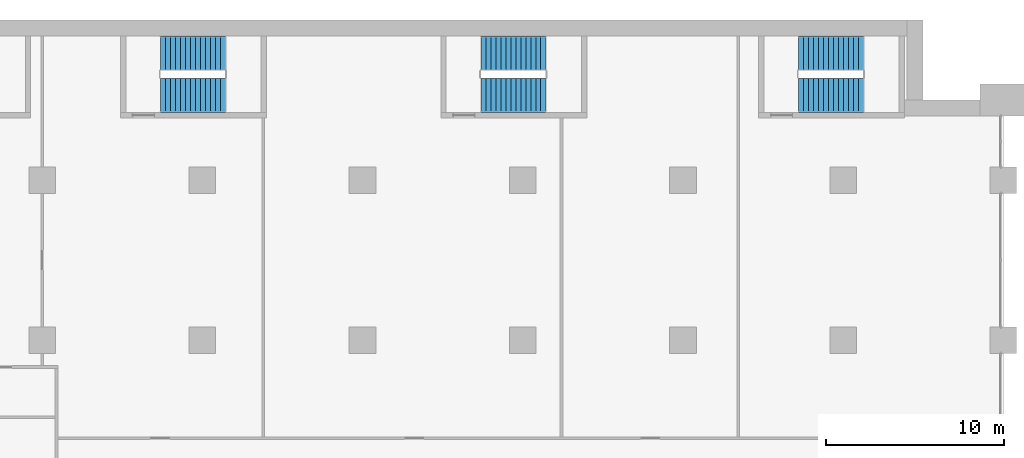
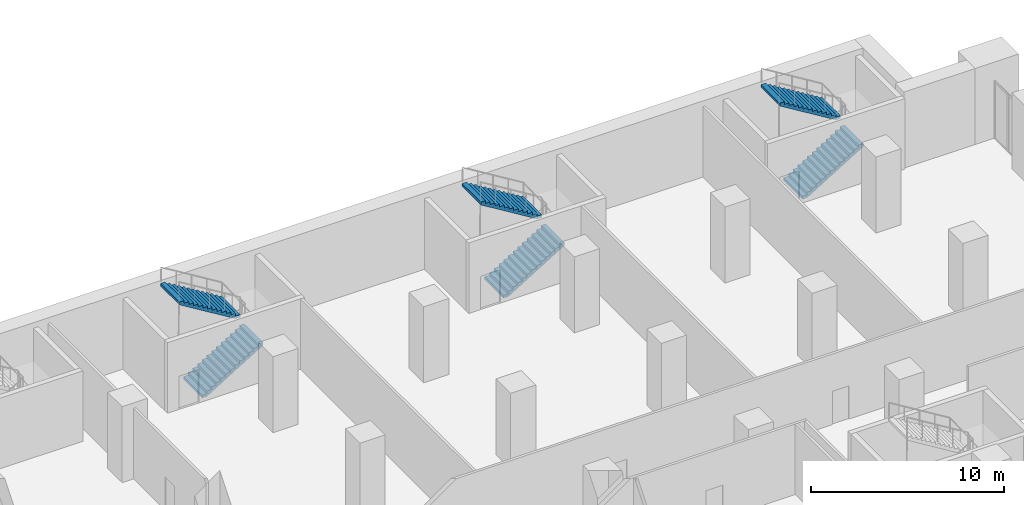
# One storey, part 24 of 31: 6 stair flights, 3 elements without a shape of their own.
"""IFC4 building model written with IfcOpenShell, lengths in metres."""

import ifcopenshell
import ifcopenshell.guid

model = None  # the IFC model being written
_history = None  # IfcOwnerHistory: only IFC2X3 demands one
_inside = {}  # id of a spatial element -> (the spatial element, [elements in it])
_under = {}  # id of a project, library or spatial element -> (it, [spatial elements below it])
_declared = {}  # id of a project -> (the project, [libraries it declares])
_typed = {}  # id of a type object -> (the type object, [elements of that type])
_made_of = {}  # id of a material, layer set ... -> (it, [elements and type objects made of it])


def new_model(schema):
    """Start an empty IFC model of exactly this schema.

    Asked for "IFC4X3", IfcOpenShell would pick the latest addendum, in which some entities
    have other attributes; the version numbers below select the first issue.
    IFC2X3 requires an IfcOwnerHistory on every rooted entity: one is made here for all.
    """
    global model, _history
    if schema == "IFC4X3":
        model = ifcopenshell.file(schema_version=(4, 3, 0, 0))
    else:
        model = ifcopenshell.file(schema=schema)
    _inside.clear()
    _under.clear()
    _declared.clear()
    _typed.clear()
    _made_of.clear()
    _history = None
    if model.schema == "IFC2X3":
        org = make("IfcOrganization", Name="unknown")
        user = make(
            "IfcPersonAndOrganization",
            ThePerson=make("IfcPerson", FamilyName="unknown"),
            TheOrganization=org,
        )
        app = make(
            "IfcApplication",
            ApplicationDeveloper=org,
            Version="unknown",
            ApplicationFullName="unknown",
            ApplicationIdentifier="unknown",
        )
        _history = make(
            "IfcOwnerHistory",
            OwningUser=user,
            OwningApplication=app,
            ChangeAction="ADDED",
            CreationDate=0,
        )
    return model


def make(cls, **values):
    """One entity of the class cls with the attributes given. An attribute that is None is left unset."""
    return model.create_entity(
        cls, **{name: value for name, value in values.items() if value is not None}
    )


def rooted(cls, **values):
    """An entity with a GlobalId (a new one), such as an element, a storey or a relation."""
    return make(cls, GlobalId=ifcopenshell.guid.new(), OwnerHistory=_history, **values)


def si_unit(unit_type, name, prefix=None):
    """IfcSIUnit, for example si_unit("LENGTHUNIT", "METRE", prefix="MILLI")."""
    return make("IfcSIUnit", UnitType=unit_type, Prefix=prefix, Name=name)


def assignment(units):
    """IfcUnitAssignment: the units of a project."""
    return None if units is None else make("IfcUnitAssignment", Units=units)


def point(xyz):
    """IfcCartesianPoint."""
    return None if xyz is None else make("IfcCartesianPoint", Coordinates=xyz)


def direction(xyz):
    """IfcDirection."""
    return None if xyz is None else make("IfcDirection", DirectionRatios=xyz)


def frame(location, z_axis=None, x_axis=None):
    """IfcAxis2Placement3D, a coordinate frame: its origin and axes. An axis left out is left unset."""
    return make(
        "IfcAxis2Placement3D",
        Location=point(location),
        Axis=direction(z_axis),
        RefDirection=direction(x_axis),
    )


def origin():
    """The frame at (0, 0, 0) with its axes left unset."""
    return frame((0.0, 0.0, 0.0))


def place(relative_to, where):
    """IfcLocalPlacement: puts the frame where relative to a parent placement (None: the world)."""
    return make(
        "IfcLocalPlacement", PlacementRelTo=relative_to, RelativePlacement=where
    )


def context(
    kind, dimensions, precision=None, world=None, true_north=None, identifier=None
):
    """IfcGeometricRepresentationContext, for example the 3D "Model" context."""
    return make(
        "IfcGeometricRepresentationContext",
        ContextIdentifier=identifier,
        ContextType=kind,
        CoordinateSpaceDimension=dimensions,
        Precision=precision,
        WorldCoordinateSystem=world,
        TrueNorth=true_north,
    )


def subcontext(parent, identifier, kind, view, scale=None):
    """IfcGeometricRepresentationSubContext, for example "Body" below "Model"."""
    return make(
        "IfcGeometricRepresentationSubContext",
        ContextIdentifier=identifier,
        ContextType=kind,
        ParentContext=parent,
        TargetScale=scale,
        TargetView=view,
    )


def project(units=None, contexts=None):
    """IfcProject with its units and contexts."""
    return rooted(
        "IfcProject",
        Name="project",
        RepresentationContexts=contexts,
        UnitsInContext=assignment(units),
    )


def spatial(cls, under=None, at=None, **own):
    """A site, building, storey or space (cls), placed at a placement, below another one or the project."""
    s = rooted(cls, ObjectPlacement=at, **own)
    if under is not None:
        _under.setdefault(under.id(), (under, []))[1].append(s)
    return s


def polyline(points):
    """IfcPolyline through the points."""
    return make("IfcPolyline", Points=[point(p) for p in points])


def outline(outer, holes=None, kind="AREA"):
    """IfcArbitraryClosedProfileDef: a profile drawn as a closed curve; with holes, ...WithVoids."""
    if holes is None:
        return make("IfcArbitraryClosedProfileDef", ProfileType=kind, OuterCurve=outer)
    return make(
        "IfcArbitraryProfileDefWithVoids",
        ProfileType=kind,
        OuterCurve=outer,
        InnerCurves=holes,
    )


def extrude(swept, where, along, depth):
    """IfcExtrudedAreaSolid: the profile swept, set in the frame where, extruded along a direction by depth."""
    return make(
        "IfcExtrudedAreaSolid",
        SweptArea=swept,
        Position=where,
        ExtrudedDirection=direction(along),
        Depth=depth,
    )


def shape(context_of_items, identifier, shape_type, items):
    """IfcShapeRepresentation: the items that make up one representation, for example the "Body"."""
    return make(
        "IfcShapeRepresentation",
        ContextOfItems=context_of_items,
        RepresentationIdentifier=identifier,
        RepresentationType=shape_type,
        Items=items,
    )


def material(Name=None, Category=None):
    """IfcMaterial."""
    return make("IfcMaterial", Name=Name, Category=Category)


def made_of(thing, what):
    """Note that an element or type object is made of a material, layer set ...; save() writes the relation."""
    if what is not None:
        _made_of.setdefault(what.id(), (what, []))[1].append(thing)
    return thing


def type_object(cls, material=None, **own):
    """A type object (cls), such as IfcWallType, which elements share."""
    return made_of(rooted(cls, **own), material)


def element(
    cls,
    number,
    at=None,
    inside=None,
    cuts=None,
    type_object=None,
    material=None,
    context=None,
    identifier="Body",
    shape_type=None,
    held_by="IfcProductDefinitionShape",
    body=None,
    shapes=None,
    **own,
):
    """One element of the class cls, such as IfcWall. Its Tag is "e" and its number.

    at: its placement. inside: the storey or other place that contains it. cuts: it is an
    opening in that element (IfcRelVoidsElement). A single representation is given by context,
    identifier, shape_type and body (its items); several are given by shapes. held_by: the class
    of the entity that holds the representations. save() writes the other relations.
    """
    e = rooted(cls, Tag="e%d" % number, ObjectPlacement=at, **own)
    if body is not None:
        shapes = [shape(context, identifier, shape_type, body)]
    if shapes is not None:
        e.Representation = make(held_by, Representations=shapes)
    if inside is not None:
        _inside.setdefault(inside.id(), (inside, []))[1].append(e)
    if cuts is not None:
        rooted(
            "IfcRelVoidsElement", RelatingBuildingElement=cuts, RelatedOpeningElement=e
        )
    if type_object is not None:
        _typed.setdefault(type_object.id(), (type_object, []))[1].append(e)
    return made_of(e, material)


def aggregate(whole, parts):
    """IfcRelAggregates: a whole, such as a stair, and the parts it consists of."""
    return rooted("IfcRelAggregates", RelatingObject=whole, RelatedObjects=parts)


def save(model, path):
    """Write the relations noted so far, then the file.

    IfcRelAggregates (storeys below a building ...), IfcRelContainedInSpatialStructure (elements
    in a storey), IfcRelDefinesByType, IfcRelAssociatesMaterial and IfcRelDeclares: one each for
    every whole, place, type object, material and project.
    """
    for whole, parts in _under.values():
        aggregate(whole, parts)
    for where, things in _inside.values():
        rooted(
            "IfcRelContainedInSpatialStructure",
            RelatedElements=things,
            RelatingStructure=where,
        )
    for kind, things in _typed.values():
        rooted("IfcRelDefinesByType", RelatedObjects=things, RelatingType=kind)
    for what, things in _made_of.values():
        rooted("IfcRelAssociatesMaterial", RelatedObjects=things, RelatingMaterial=what)
    for by, libraries in _declared.values():
        rooted("IfcRelDeclares", RelatingContext=by, RelatedDefinitions=libraries)
    model.write(path)


model = new_model("IFC4")

# Units and contexts
model_context = context("Model", 3, precision=1e-05, world=origin(), true_north=direction((0.0, 1.0)))
body_context = subcontext(model_context, "Body", "Model", "MODEL_VIEW")
ifc_project = project(units=[si_unit("LENGTHUNIT", "METRE"), si_unit("AREAUNIT", "SQUARE_METRE"), si_unit("VOLUMEUNIT", "CUBIC_METRE"), si_unit("PLANEANGLEUNIT", "RADIAN"), si_unit("MASSUNIT", "GRAM", prefix="KILO")], contexts=[model_context])

# Site, building, storey
site_placement = place(None, origin())
site = spatial("IfcSite", under=ifc_project, at=site_placement, CompositionType="ELEMENT")
building_placement = place(site_placement, origin())
building = spatial("IfcBuilding", under=site, at=building_placement, Name="Hunhe Ridgeline Campus", CompositionType="ELEMENT")
storey_placement = place(building_placement, frame((0.0, 0.0, 16.800048828125)))
storey = spatial("IfcBuildingStorey", under=building, at=storey_placement, Name="L03", CompositionType="ELEMENT", Elevation=16.800048828125)

# Stair, stair flights
ifc_material = material(Name="Concrete C40", Category="concrete")
stair_type = type_object("IfcStairType", Name="Reinforced concrete dog-leg stair 1950 Concrete C40", PredefinedType="HALF_TURN_STAIR", material=ifc_material)
stair_1_placement = place(storey_placement, origin())
stair_1 = element("IfcStair", 1, at=stair_1_placement, inside=storey, type_object=stair_type, Name="L03 E2", PredefinedType="HALF_TURN_STAIR")
stair_flight_type = type_object("IfcStairFlightType", Name="Reinforced concrete stair flight 1950 Concrete C40", PredefinedType="STRAIGHT", material=ifc_material)
stair_flight_1_placement = place(storey_placement, frame((51.64990234375, 94.77490234375, 0.0), z_axis=(0.0, 0.0, 1.0), x_axis=(1.0, 0.0, 0.0)))
stair_flight_1 = element("IfcStairFlight", 2, at=stair_flight_1_placement, type_object=stair_flight_type, Name="ST6 flight 1", NumberOfRisers=14, NumberOfTreads=13, PredefinedType="STRAIGHT", RiserHeight=0.171428571, TreadLength=0.28, context=body_context, shape_type="SweptSolid", body=[
    extrude(outline(polyline([(0.0, 0.0), (0.0, 0.17138671875), (0.280029296875, 0.17138671875), (0.280029296875, 0.3427734375), (0.56005859375, 0.3427734375), (0.56005859375, 0.514404296875), (0.840087890625, 0.514404296875), (0.840087890625, 0.685791015625), (1.1201171875, 0.685791015625), (1.1201171875, 0.857177734375), (1.39990234375, 0.857177734375), (1.39990234375, 1.028564453125), (1.679931640625, 1.028564453125), (1.679931640625, 1.199951171875), (1.9599609375, 1.199951171875), (1.9599609375, 1.371337890625), (2.239990234375, 1.371337890625), (2.239990234375, 1.54296875), (2.52001953125, 1.54296875), (2.52001953125, 1.71435546875), (2.800048828125, 1.71435546875), (2.800048828125, 1.8857421875), (3.080078125, 1.8857421875), (3.080078125, 2.05712890625), (3.360107421875, 2.05712890625), (3.360107421875, 2.228515625), (3.639892578125, 2.228515625), (3.639892578125, 2.39990234375), (3.639892578125, 2.052734375), (0.287109375, 0.0), (0.0, 0.0)])), frame((0.0, 0.97509765625, 0.0), z_axis=(0.0, -1.0, 0.0), x_axis=(1.0, 0.0, 0.0)), (0.0, 0.0, 1.0), 1.949951171875),
    extrude(outline(polyline([(0.030029296875, 0.030029296875), (0.030029296875, 0.141357421875), (0.31005859375, 0.141357421875), (0.31005859375, 0.31298828125), (0.590087890625, 0.31298828125), (0.590087890625, 0.484375), (0.8701171875, 0.484375), (0.8701171875, 0.65576171875), (1.14990234375, 0.65576171875), (1.14990234375, 0.8271484375), (1.429931640625, 0.8271484375), (1.429931640625, 0.99853515625), (1.7099609375, 0.99853515625), (1.7099609375, 1.169921875), (1.989990234375, 1.169921875), (1.989990234375, 1.34130859375), (2.27001953125, 1.34130859375), (2.27001953125, 1.512939453125), (2.550048828125, 1.512939453125), (2.550048828125, 1.684326171875), (2.830078125, 1.684326171875), (2.830078125, 1.855712890625), (3.110107421875, 1.855712890625), (3.110107421875, 2.027099609375), (3.389892578125, 2.027099609375), (3.389892578125, 2.198486328125), (3.610107421875, 2.198486328125), (3.610107421875, 2.069580078125), (0.278564453125, 0.030029296875), (0.030029296875, 0.030029296875)])), frame((0.0, -0.070068359375, 0.0), z_axis=(0.0, -1.0, 0.0), x_axis=(1.0, 0.0, 0.0)), (0.0, 0.0, 1.0), 0.019775390625),
    extrude(outline(polyline([(0.030029296875, 0.030029296875), (0.030029296875, 0.141357421875), (0.31005859375, 0.141357421875), (0.31005859375, 0.31298828125), (0.590087890625, 0.31298828125), (0.590087890625, 0.484375), (0.8701171875, 0.484375), (0.8701171875, 0.65576171875), (1.14990234375, 0.65576171875), (1.14990234375, 0.8271484375), (1.429931640625, 0.8271484375), (1.429931640625, 0.99853515625), (1.7099609375, 0.99853515625), (1.7099609375, 1.169921875), (1.989990234375, 1.169921875), (1.989990234375, 1.34130859375), (2.27001953125, 1.34130859375), (2.27001953125, 1.512939453125), (2.550048828125, 1.512939453125), (2.550048828125, 1.684326171875), (2.830078125, 1.684326171875), (2.830078125, 1.855712890625), (3.110107421875, 1.855712890625), (3.110107421875, 2.027099609375), (3.389892578125, 2.027099609375), (3.389892578125, 2.198486328125), (3.610107421875, 2.198486328125), (3.610107421875, 2.069580078125), (0.278564453125, 0.030029296875), (0.030029296875, 0.030029296875)])), frame((0.0, 0.010009765625, 0.0), z_axis=(0.0, -1.0, 0.0), x_axis=(1.0, 0.0, 0.0)), (0.0, 0.0, 1.0), 0.019775390625),
    extrude(outline(polyline([(0.030029296875, 0.030029296875), (0.030029296875, 0.141357421875), (0.31005859375, 0.141357421875), (0.31005859375, 0.31298828125), (0.590087890625, 0.31298828125), (0.590087890625, 0.484375), (0.8701171875, 0.484375), (0.8701171875, 0.65576171875), (1.14990234375, 0.65576171875), (1.14990234375, 0.8271484375), (1.429931640625, 0.8271484375), (1.429931640625, 0.99853515625), (1.7099609375, 0.99853515625), (1.7099609375, 1.169921875), (1.989990234375, 1.169921875), (1.989990234375, 1.34130859375), (2.27001953125, 1.34130859375), (2.27001953125, 1.512939453125), (2.550048828125, 1.512939453125), (2.550048828125, 1.684326171875), (2.830078125, 1.684326171875), (2.830078125, 1.855712890625), (3.110107421875, 1.855712890625), (3.110107421875, 2.027099609375), (3.389892578125, 2.027099609375), (3.389892578125, 2.198486328125), (3.610107421875, 2.198486328125), (3.610107421875, 2.069580078125), (0.278564453125, 0.030029296875), (0.030029296875, 0.030029296875)])), frame((0.0, 0.090087890625, 0.0), z_axis=(0.0, -1.0, 0.0), x_axis=(1.0, 0.0, 0.0)), (0.0, 0.0, 1.0), 0.019775390625),
])
stair_flight_2_placement = place(storey_placement, frame((55.2900390625, 97.125, 2.39990234375), z_axis=(0.0, 0.0, 1.0), x_axis=(-1.0, 0.0, 0.0)))
stair_flight_2 = element("IfcStairFlight", 3, at=stair_flight_2_placement, type_object=stair_flight_type, Name="ST6 flight 2", NumberOfRisers=14, NumberOfTreads=13, PredefinedType="STRAIGHT", RiserHeight=0.171428571, TreadLength=0.28, context=body_context, shape_type="SweptSolid", body=[
    extrude(outline(polyline([(0.0, 0.0), (0.0, 0.17138671875), (0.280029296875, 0.17138671875), (0.280029296875, 0.3427734375), (0.56005859375, 0.3427734375), (0.56005859375, 0.514404296875), (0.840087890625, 0.514404296875), (0.840087890625, 0.685791015625), (1.1201171875, 0.685791015625), (1.1201171875, 0.857177734375), (1.39990234375, 0.857177734375), (1.39990234375, 1.028564453125), (1.679931640625, 1.028564453125), (1.679931640625, 1.199951171875), (1.9599609375, 1.199951171875), (1.9599609375, 1.371337890625), (2.239990234375, 1.371337890625), (2.239990234375, 1.54296875), (2.52001953125, 1.54296875), (2.52001953125, 1.71435546875), (2.800048828125, 1.71435546875), (2.800048828125, 1.8857421875), (3.080078125, 1.8857421875), (3.080078125, 2.05712890625), (3.360107421875, 2.05712890625), (3.360107421875, 2.228515625), (3.639892578125, 2.228515625), (3.639892578125, 2.39990234375), (3.639892578125, 2.052734375), (0.287109375, 0.0), (0.0, 0.0)])), frame((0.0, 0.97509765625, 0.0), z_axis=(0.0, -1.0, 0.0), x_axis=(1.0, 0.0, 0.0)), (0.0, 0.0, 1.0), 1.949951171875),
    extrude(outline(polyline([(0.030029296875, 0.030029296875), (0.030029296875, 0.141357421875), (0.31005859375, 0.141357421875), (0.31005859375, 0.31298828125), (0.590087890625, 0.31298828125), (0.590087890625, 0.484375), (0.8701171875, 0.484375), (0.8701171875, 0.65576171875), (1.14990234375, 0.65576171875), (1.14990234375, 0.8271484375), (1.429931640625, 0.8271484375), (1.429931640625, 0.99853515625), (1.7099609375, 0.99853515625), (1.7099609375, 1.169921875), (1.989990234375, 1.169921875), (1.989990234375, 1.34130859375), (2.27001953125, 1.34130859375), (2.27001953125, 1.512939453125), (2.550048828125, 1.512939453125), (2.550048828125, 1.684326171875), (2.830078125, 1.684326171875), (2.830078125, 1.855712890625), (3.110107421875, 1.855712890625), (3.110107421875, 2.027099609375), (3.389892578125, 2.027099609375), (3.389892578125, 2.198486328125), (3.610107421875, 2.198486328125), (3.610107421875, 2.069580078125), (0.278564453125, 0.030029296875), (0.030029296875, 0.030029296875)])), frame((0.0, -0.070068359375, 0.0), z_axis=(0.0, -1.0, 0.0), x_axis=(1.0, 0.0, 0.0)), (0.0, 0.0, 1.0), 0.019775390625),
    extrude(outline(polyline([(0.030029296875, 0.030029296875), (0.030029296875, 0.141357421875), (0.31005859375, 0.141357421875), (0.31005859375, 0.31298828125), (0.590087890625, 0.31298828125), (0.590087890625, 0.484375), (0.8701171875, 0.484375), (0.8701171875, 0.65576171875), (1.14990234375, 0.65576171875), (1.14990234375, 0.8271484375), (1.429931640625, 0.8271484375), (1.429931640625, 0.99853515625), (1.7099609375, 0.99853515625), (1.7099609375, 1.169921875), (1.989990234375, 1.169921875), (1.989990234375, 1.34130859375), (2.27001953125, 1.34130859375), (2.27001953125, 1.512939453125), (2.550048828125, 1.512939453125), (2.550048828125, 1.684326171875), (2.830078125, 1.684326171875), (2.830078125, 1.855712890625), (3.110107421875, 1.855712890625), (3.110107421875, 2.027099609375), (3.389892578125, 2.027099609375), (3.389892578125, 2.198486328125), (3.610107421875, 2.198486328125), (3.610107421875, 2.069580078125), (0.278564453125, 0.030029296875), (0.030029296875, 0.030029296875)])), frame((0.0, 0.010009765625, 0.0), z_axis=(0.0, -1.0, 0.0), x_axis=(1.0, 0.0, 0.0)), (0.0, 0.0, 1.0), 0.019775390625),
    extrude(outline(polyline([(0.030029296875, 0.030029296875), (0.030029296875, 0.141357421875), (0.31005859375, 0.141357421875), (0.31005859375, 0.31298828125), (0.590087890625, 0.31298828125), (0.590087890625, 0.484375), (0.8701171875, 0.484375), (0.8701171875, 0.65576171875), (1.14990234375, 0.65576171875), (1.14990234375, 0.8271484375), (1.429931640625, 0.8271484375), (1.429931640625, 0.99853515625), (1.7099609375, 0.99853515625), (1.7099609375, 1.169921875), (1.989990234375, 1.169921875), (1.989990234375, 1.34130859375), (2.27001953125, 1.34130859375), (2.27001953125, 1.512939453125), (2.550048828125, 1.512939453125), (2.550048828125, 1.684326171875), (2.830078125, 1.684326171875), (2.830078125, 1.855712890625), (3.110107421875, 1.855712890625), (3.110107421875, 2.027099609375), (3.389892578125, 2.027099609375), (3.389892578125, 2.198486328125), (3.610107421875, 2.198486328125), (3.610107421875, 2.069580078125), (0.278564453125, 0.030029296875), (0.030029296875, 0.030029296875)])), frame((0.0, 0.090087890625, 0.0), z_axis=(0.0, -1.0, 0.0), x_axis=(1.0, 0.0, 0.0)), (0.0, 0.0, 1.0), 0.019775390625),
])
aggregate(stair_1, [stair_flight_1, stair_flight_2])

stair_2_placement = place(storey_placement, origin())
stair_2 = element("IfcStair", 4, at=stair_2_placement, inside=storey, type_object=stair_type, Name="L03 E3", PredefinedType="HALF_TURN_STAIR")
stair_flight_3_placement = place(storey_placement, frame((69.64990234375, 94.77490234375, 0.0), z_axis=(0.0, 0.0, 1.0), x_axis=(1.0, 0.0, 0.0)))
stair_flight_3 = element("IfcStairFlight", 5, at=stair_flight_3_placement, type_object=stair_flight_type, Name="ST7 flight 1", NumberOfRisers=14, NumberOfTreads=13, PredefinedType="STRAIGHT", RiserHeight=0.171428571, TreadLength=0.28, context=body_context, shape_type="SweptSolid", body=[
    extrude(outline(polyline([(0.0, 0.0), (0.0, 0.17138671875), (0.280029296875, 0.17138671875), (0.280029296875, 0.3427734375), (0.56005859375, 0.3427734375), (0.56005859375, 0.514404296875), (0.840087890625, 0.514404296875), (0.840087890625, 0.685791015625), (1.1201171875, 0.685791015625), (1.1201171875, 0.857177734375), (1.39990234375, 0.857177734375), (1.39990234375, 1.028564453125), (1.679931640625, 1.028564453125), (1.679931640625, 1.199951171875), (1.9599609375, 1.199951171875), (1.9599609375, 1.371337890625), (2.239990234375, 1.371337890625), (2.239990234375, 1.54296875), (2.52001953125, 1.54296875), (2.52001953125, 1.71435546875), (2.800048828125, 1.71435546875), (2.800048828125, 1.8857421875), (3.080078125, 1.8857421875), (3.080078125, 2.05712890625), (3.360107421875, 2.05712890625), (3.360107421875, 2.228515625), (3.639892578125, 2.228515625), (3.639892578125, 2.39990234375), (3.639892578125, 2.052734375), (0.287109375, 0.0), (0.0, 0.0)])), frame((0.0, 0.97509765625, 0.0), z_axis=(0.0, -1.0, 0.0), x_axis=(1.0, 0.0, 0.0)), (0.0, 0.0, 1.0), 1.949951171875),
    extrude(outline(polyline([(0.030029296875, 0.030029296875), (0.030029296875, 0.141357421875), (0.31005859375, 0.141357421875), (0.31005859375, 0.31298828125), (0.590087890625, 0.31298828125), (0.590087890625, 0.484375), (0.8701171875, 0.484375), (0.8701171875, 0.65576171875), (1.14990234375, 0.65576171875), (1.14990234375, 0.8271484375), (1.429931640625, 0.8271484375), (1.429931640625, 0.99853515625), (1.7099609375, 0.99853515625), (1.7099609375, 1.169921875), (1.989990234375, 1.169921875), (1.989990234375, 1.34130859375), (2.27001953125, 1.34130859375), (2.27001953125, 1.512939453125), (2.550048828125, 1.512939453125), (2.550048828125, 1.684326171875), (2.830078125, 1.684326171875), (2.830078125, 1.855712890625), (3.110107421875, 1.855712890625), (3.110107421875, 2.027099609375), (3.389892578125, 2.027099609375), (3.389892578125, 2.198486328125), (3.610107421875, 2.198486328125), (3.610107421875, 2.069580078125), (0.278564453125, 0.030029296875), (0.030029296875, 0.030029296875)])), frame((0.0, -0.070068359375, 0.0), z_axis=(0.0, -1.0, 0.0), x_axis=(1.0, 0.0, 0.0)), (0.0, 0.0, 1.0), 0.019775390625),
    extrude(outline(polyline([(0.030029296875, 0.030029296875), (0.030029296875, 0.141357421875), (0.31005859375, 0.141357421875), (0.31005859375, 0.31298828125), (0.590087890625, 0.31298828125), (0.590087890625, 0.484375), (0.8701171875, 0.484375), (0.8701171875, 0.65576171875), (1.14990234375, 0.65576171875), (1.14990234375, 0.8271484375), (1.429931640625, 0.8271484375), (1.429931640625, 0.99853515625), (1.7099609375, 0.99853515625), (1.7099609375, 1.169921875), (1.989990234375, 1.169921875), (1.989990234375, 1.34130859375), (2.27001953125, 1.34130859375), (2.27001953125, 1.512939453125), (2.550048828125, 1.512939453125), (2.550048828125, 1.684326171875), (2.830078125, 1.684326171875), (2.830078125, 1.855712890625), (3.110107421875, 1.855712890625), (3.110107421875, 2.027099609375), (3.389892578125, 2.027099609375), (3.389892578125, 2.198486328125), (3.610107421875, 2.198486328125), (3.610107421875, 2.069580078125), (0.278564453125, 0.030029296875), (0.030029296875, 0.030029296875)])), frame((0.0, 0.010009765625, 0.0), z_axis=(0.0, -1.0, 0.0), x_axis=(1.0, 0.0, 0.0)), (0.0, 0.0, 1.0), 0.019775390625),
    extrude(outline(polyline([(0.030029296875, 0.030029296875), (0.030029296875, 0.141357421875), (0.31005859375, 0.141357421875), (0.31005859375, 0.31298828125), (0.590087890625, 0.31298828125), (0.590087890625, 0.484375), (0.8701171875, 0.484375), (0.8701171875, 0.65576171875), (1.14990234375, 0.65576171875), (1.14990234375, 0.8271484375), (1.429931640625, 0.8271484375), (1.429931640625, 0.99853515625), (1.7099609375, 0.99853515625), (1.7099609375, 1.169921875), (1.989990234375, 1.169921875), (1.989990234375, 1.34130859375), (2.27001953125, 1.34130859375), (2.27001953125, 1.512939453125), (2.550048828125, 1.512939453125), (2.550048828125, 1.684326171875), (2.830078125, 1.684326171875), (2.830078125, 1.855712890625), (3.110107421875, 1.855712890625), (3.110107421875, 2.027099609375), (3.389892578125, 2.027099609375), (3.389892578125, 2.198486328125), (3.610107421875, 2.198486328125), (3.610107421875, 2.069580078125), (0.278564453125, 0.030029296875), (0.030029296875, 0.030029296875)])), frame((0.0, 0.090087890625, 0.0), z_axis=(0.0, -1.0, 0.0), x_axis=(1.0, 0.0, 0.0)), (0.0, 0.0, 1.0), 0.019775390625),
])
stair_flight_4_placement = place(storey_placement, frame((73.2900390625, 97.125, 2.39990234375), z_axis=(0.0, 0.0, 1.0), x_axis=(-1.0, 0.0, 0.0)))
stair_flight_4 = element("IfcStairFlight", 6, at=stair_flight_4_placement, type_object=stair_flight_type, Name="ST7 flight 2", NumberOfRisers=14, NumberOfTreads=13, PredefinedType="STRAIGHT", RiserHeight=0.171428571, TreadLength=0.28, context=body_context, shape_type="SweptSolid", body=[
    extrude(outline(polyline([(0.0, 0.0), (0.0, 0.17138671875), (0.280029296875, 0.17138671875), (0.280029296875, 0.3427734375), (0.56005859375, 0.3427734375), (0.56005859375, 0.514404296875), (0.840087890625, 0.514404296875), (0.840087890625, 0.685791015625), (1.1201171875, 0.685791015625), (1.1201171875, 0.857177734375), (1.39990234375, 0.857177734375), (1.39990234375, 1.028564453125), (1.679931640625, 1.028564453125), (1.679931640625, 1.199951171875), (1.9599609375, 1.199951171875), (1.9599609375, 1.371337890625), (2.239990234375, 1.371337890625), (2.239990234375, 1.54296875), (2.52001953125, 1.54296875), (2.52001953125, 1.71435546875), (2.800048828125, 1.71435546875), (2.800048828125, 1.8857421875), (3.080078125, 1.8857421875), (3.080078125, 2.05712890625), (3.360107421875, 2.05712890625), (3.360107421875, 2.228515625), (3.639892578125, 2.228515625), (3.639892578125, 2.39990234375), (3.639892578125, 2.052734375), (0.287109375, 0.0), (0.0, 0.0)])), frame((0.0, 0.97509765625, 0.0), z_axis=(0.0, -1.0, 0.0), x_axis=(1.0, 0.0, 0.0)), (0.0, 0.0, 1.0), 1.949951171875),
    extrude(outline(polyline([(0.030029296875, 0.030029296875), (0.030029296875, 0.141357421875), (0.31005859375, 0.141357421875), (0.31005859375, 0.31298828125), (0.590087890625, 0.31298828125), (0.590087890625, 0.484375), (0.8701171875, 0.484375), (0.8701171875, 0.65576171875), (1.14990234375, 0.65576171875), (1.14990234375, 0.8271484375), (1.429931640625, 0.8271484375), (1.429931640625, 0.99853515625), (1.7099609375, 0.99853515625), (1.7099609375, 1.169921875), (1.989990234375, 1.169921875), (1.989990234375, 1.34130859375), (2.27001953125, 1.34130859375), (2.27001953125, 1.512939453125), (2.550048828125, 1.512939453125), (2.550048828125, 1.684326171875), (2.830078125, 1.684326171875), (2.830078125, 1.855712890625), (3.110107421875, 1.855712890625), (3.110107421875, 2.027099609375), (3.389892578125, 2.027099609375), (3.389892578125, 2.198486328125), (3.610107421875, 2.198486328125), (3.610107421875, 2.069580078125), (0.278564453125, 0.030029296875), (0.030029296875, 0.030029296875)])), frame((0.0, -0.070068359375, 0.0), z_axis=(0.0, -1.0, 0.0), x_axis=(1.0, 0.0, 0.0)), (0.0, 0.0, 1.0), 0.019775390625),
    extrude(outline(polyline([(0.030029296875, 0.030029296875), (0.030029296875, 0.141357421875), (0.31005859375, 0.141357421875), (0.31005859375, 0.31298828125), (0.590087890625, 0.31298828125), (0.590087890625, 0.484375), (0.8701171875, 0.484375), (0.8701171875, 0.65576171875), (1.14990234375, 0.65576171875), (1.14990234375, 0.8271484375), (1.429931640625, 0.8271484375), (1.429931640625, 0.99853515625), (1.7099609375, 0.99853515625), (1.7099609375, 1.169921875), (1.989990234375, 1.169921875), (1.989990234375, 1.34130859375), (2.27001953125, 1.34130859375), (2.27001953125, 1.512939453125), (2.550048828125, 1.512939453125), (2.550048828125, 1.684326171875), (2.830078125, 1.684326171875), (2.830078125, 1.855712890625), (3.110107421875, 1.855712890625), (3.110107421875, 2.027099609375), (3.389892578125, 2.027099609375), (3.389892578125, 2.198486328125), (3.610107421875, 2.198486328125), (3.610107421875, 2.069580078125), (0.278564453125, 0.030029296875), (0.030029296875, 0.030029296875)])), frame((0.0, 0.010009765625, 0.0), z_axis=(0.0, -1.0, 0.0), x_axis=(1.0, 0.0, 0.0)), (0.0, 0.0, 1.0), 0.019775390625),
    extrude(outline(polyline([(0.030029296875, 0.030029296875), (0.030029296875, 0.141357421875), (0.31005859375, 0.141357421875), (0.31005859375, 0.31298828125), (0.590087890625, 0.31298828125), (0.590087890625, 0.484375), (0.8701171875, 0.484375), (0.8701171875, 0.65576171875), (1.14990234375, 0.65576171875), (1.14990234375, 0.8271484375), (1.429931640625, 0.8271484375), (1.429931640625, 0.99853515625), (1.7099609375, 0.99853515625), (1.7099609375, 1.169921875), (1.989990234375, 1.169921875), (1.989990234375, 1.34130859375), (2.27001953125, 1.34130859375), (2.27001953125, 1.512939453125), (2.550048828125, 1.512939453125), (2.550048828125, 1.684326171875), (2.830078125, 1.684326171875), (2.830078125, 1.855712890625), (3.110107421875, 1.855712890625), (3.110107421875, 2.027099609375), (3.389892578125, 2.027099609375), (3.389892578125, 2.198486328125), (3.610107421875, 2.198486328125), (3.610107421875, 2.069580078125), (0.278564453125, 0.030029296875), (0.030029296875, 0.030029296875)])), frame((0.0, 0.090087890625, 0.0), z_axis=(0.0, -1.0, 0.0), x_axis=(1.0, 0.0, 0.0)), (0.0, 0.0, 1.0), 0.019775390625),
])
aggregate(stair_2, [stair_flight_3, stair_flight_4])

stair_3_placement = place(storey_placement, origin())
stair_3 = element("IfcStair", 7, at=stair_3_placement, inside=storey, type_object=stair_type, Name="L03 E4", PredefinedType="HALF_TURN_STAIR")
stair_flight_5_placement = place(storey_placement, frame((87.5, 94.77490234375, 0.0), z_axis=(0.0, 0.0, 1.0), x_axis=(1.0, 0.0, 0.0)))
stair_flight_5 = element("IfcStairFlight", 8, at=stair_flight_5_placement, type_object=stair_flight_type, Name="ST8 flight 1", NumberOfRisers=14, NumberOfTreads=13, PredefinedType="STRAIGHT", RiserHeight=0.171428571, TreadLength=0.28, context=body_context, shape_type="SweptSolid", body=[
    extrude(outline(polyline([(0.0, 0.0), (0.0, 0.17138671875), (0.280029296875, 0.17138671875), (0.280029296875, 0.3427734375), (0.56005859375, 0.3427734375), (0.56005859375, 0.514404296875), (0.840087890625, 0.514404296875), (0.840087890625, 0.685791015625), (1.1201171875, 0.685791015625), (1.1201171875, 0.857177734375), (1.39990234375, 0.857177734375), (1.39990234375, 1.028564453125), (1.679931640625, 1.028564453125), (1.679931640625, 1.199951171875), (1.9599609375, 1.199951171875), (1.9599609375, 1.371337890625), (2.239990234375, 1.371337890625), (2.239990234375, 1.54296875), (2.52001953125, 1.54296875), (2.52001953125, 1.71435546875), (2.800048828125, 1.71435546875), (2.800048828125, 1.8857421875), (3.080078125, 1.8857421875), (3.080078125, 2.05712890625), (3.360107421875, 2.05712890625), (3.360107421875, 2.228515625), (3.639892578125, 2.228515625), (3.639892578125, 2.39990234375), (3.639892578125, 2.052734375), (0.287109375, 0.0), (0.0, 0.0)])), frame((0.0, 0.97509765625, 0.0), z_axis=(0.0, -1.0, 0.0), x_axis=(1.0, 0.0, 0.0)), (0.0, 0.0, 1.0), 1.949951171875),
    extrude(outline(polyline([(0.030029296875, 0.030029296875), (0.030029296875, 0.141357421875), (0.31005859375, 0.141357421875), (0.31005859375, 0.31298828125), (0.590087890625, 0.31298828125), (0.590087890625, 0.484375), (0.8701171875, 0.484375), (0.8701171875, 0.65576171875), (1.14990234375, 0.65576171875), (1.14990234375, 0.8271484375), (1.429931640625, 0.8271484375), (1.429931640625, 0.99853515625), (1.7099609375, 0.99853515625), (1.7099609375, 1.169921875), (1.989990234375, 1.169921875), (1.989990234375, 1.34130859375), (2.27001953125, 1.34130859375), (2.27001953125, 1.512939453125), (2.550048828125, 1.512939453125), (2.550048828125, 1.684326171875), (2.830078125, 1.684326171875), (2.830078125, 1.855712890625), (3.110107421875, 1.855712890625), (3.110107421875, 2.027099609375), (3.389892578125, 2.027099609375), (3.389892578125, 2.198486328125), (3.610107421875, 2.198486328125), (3.610107421875, 2.069580078125), (0.278564453125, 0.030029296875), (0.030029296875, 0.030029296875)])), frame((0.0, -0.070068359375, 0.0), z_axis=(0.0, -1.0, 0.0), x_axis=(1.0, 0.0, 0.0)), (0.0, 0.0, 1.0), 0.019775390625),
    extrude(outline(polyline([(0.030029296875, 0.030029296875), (0.030029296875, 0.141357421875), (0.31005859375, 0.141357421875), (0.31005859375, 0.31298828125), (0.590087890625, 0.31298828125), (0.590087890625, 0.484375), (0.8701171875, 0.484375), (0.8701171875, 0.65576171875), (1.14990234375, 0.65576171875), (1.14990234375, 0.8271484375), (1.429931640625, 0.8271484375), (1.429931640625, 0.99853515625), (1.7099609375, 0.99853515625), (1.7099609375, 1.169921875), (1.989990234375, 1.169921875), (1.989990234375, 1.34130859375), (2.27001953125, 1.34130859375), (2.27001953125, 1.512939453125), (2.550048828125, 1.512939453125), (2.550048828125, 1.684326171875), (2.830078125, 1.684326171875), (2.830078125, 1.855712890625), (3.110107421875, 1.855712890625), (3.110107421875, 2.027099609375), (3.389892578125, 2.027099609375), (3.389892578125, 2.198486328125), (3.610107421875, 2.198486328125), (3.610107421875, 2.069580078125), (0.278564453125, 0.030029296875), (0.030029296875, 0.030029296875)])), frame((0.0, 0.010009765625, 0.0), z_axis=(0.0, -1.0, 0.0), x_axis=(1.0, 0.0, 0.0)), (0.0, 0.0, 1.0), 0.019775390625),
    extrude(outline(polyline([(0.030029296875, 0.030029296875), (0.030029296875, 0.141357421875), (0.31005859375, 0.141357421875), (0.31005859375, 0.31298828125), (0.590087890625, 0.31298828125), (0.590087890625, 0.484375), (0.8701171875, 0.484375), (0.8701171875, 0.65576171875), (1.14990234375, 0.65576171875), (1.14990234375, 0.8271484375), (1.429931640625, 0.8271484375), (1.429931640625, 0.99853515625), (1.7099609375, 0.99853515625), (1.7099609375, 1.169921875), (1.989990234375, 1.169921875), (1.989990234375, 1.34130859375), (2.27001953125, 1.34130859375), (2.27001953125, 1.512939453125), (2.550048828125, 1.512939453125), (2.550048828125, 1.684326171875), (2.830078125, 1.684326171875), (2.830078125, 1.855712890625), (3.110107421875, 1.855712890625), (3.110107421875, 2.027099609375), (3.389892578125, 2.027099609375), (3.389892578125, 2.198486328125), (3.610107421875, 2.198486328125), (3.610107421875, 2.069580078125), (0.278564453125, 0.030029296875), (0.030029296875, 0.030029296875)])), frame((0.0, 0.090087890625, 0.0), z_axis=(0.0, -1.0, 0.0), x_axis=(1.0, 0.0, 0.0)), (0.0, 0.0, 1.0), 0.019775390625),
])
stair_flight_6_placement = place(storey_placement, frame((91.139892578125, 97.125, 2.39990234375), z_axis=(0.0, 0.0, 1.0), x_axis=(-1.0, 0.0, 0.0)))
stair_flight_6 = element("IfcStairFlight", 9, at=stair_flight_6_placement, type_object=stair_flight_type, Name="ST8 flight 2", NumberOfRisers=14, NumberOfTreads=13, PredefinedType="STRAIGHT", RiserHeight=0.171428571, TreadLength=0.28, context=body_context, shape_type="SweptSolid", body=[
    extrude(outline(polyline([(0.0, 0.0), (0.0, 0.17138671875), (0.280029296875, 0.17138671875), (0.280029296875, 0.3427734375), (0.56005859375, 0.3427734375), (0.56005859375, 0.514404296875), (0.840087890625, 0.514404296875), (0.840087890625, 0.685791015625), (1.1201171875, 0.685791015625), (1.1201171875, 0.857177734375), (1.39990234375, 0.857177734375), (1.39990234375, 1.028564453125), (1.679931640625, 1.028564453125), (1.679931640625, 1.199951171875), (1.9599609375, 1.199951171875), (1.9599609375, 1.371337890625), (2.239990234375, 1.371337890625), (2.239990234375, 1.54296875), (2.52001953125, 1.54296875), (2.52001953125, 1.71435546875), (2.800048828125, 1.71435546875), (2.800048828125, 1.8857421875), (3.080078125, 1.8857421875), (3.080078125, 2.05712890625), (3.360107421875, 2.05712890625), (3.360107421875, 2.228515625), (3.639892578125, 2.228515625), (3.639892578125, 2.39990234375), (3.639892578125, 2.052734375), (0.287109375, 0.0), (0.0, 0.0)])), frame((0.0, 0.97509765625, 0.0), z_axis=(0.0, -1.0, 0.0), x_axis=(1.0, 0.0, 0.0)), (0.0, 0.0, 1.0), 1.949951171875),
    extrude(outline(polyline([(0.030029296875, 0.030029296875), (0.030029296875, 0.141357421875), (0.31005859375, 0.141357421875), (0.31005859375, 0.31298828125), (0.590087890625, 0.31298828125), (0.590087890625, 0.484375), (0.8701171875, 0.484375), (0.8701171875, 0.65576171875), (1.14990234375, 0.65576171875), (1.14990234375, 0.8271484375), (1.429931640625, 0.8271484375), (1.429931640625, 0.99853515625), (1.7099609375, 0.99853515625), (1.7099609375, 1.169921875), (1.989990234375, 1.169921875), (1.989990234375, 1.34130859375), (2.27001953125, 1.34130859375), (2.27001953125, 1.512939453125), (2.550048828125, 1.512939453125), (2.550048828125, 1.684326171875), (2.830078125, 1.684326171875), (2.830078125, 1.855712890625), (3.110107421875, 1.855712890625), (3.110107421875, 2.027099609375), (3.389892578125, 2.027099609375), (3.389892578125, 2.198486328125), (3.610107421875, 2.198486328125), (3.610107421875, 2.069580078125), (0.278564453125, 0.030029296875), (0.030029296875, 0.030029296875)])), frame((0.0, -0.070068359375, 0.0), z_axis=(0.0, -1.0, 0.0), x_axis=(1.0, 0.0, 0.0)), (0.0, 0.0, 1.0), 0.019775390625),
    extrude(outline(polyline([(0.030029296875, 0.030029296875), (0.030029296875, 0.141357421875), (0.31005859375, 0.141357421875), (0.31005859375, 0.31298828125), (0.590087890625, 0.31298828125), (0.590087890625, 0.484375), (0.8701171875, 0.484375), (0.8701171875, 0.65576171875), (1.14990234375, 0.65576171875), (1.14990234375, 0.8271484375), (1.429931640625, 0.8271484375), (1.429931640625, 0.99853515625), (1.7099609375, 0.99853515625), (1.7099609375, 1.169921875), (1.989990234375, 1.169921875), (1.989990234375, 1.34130859375), (2.27001953125, 1.34130859375), (2.27001953125, 1.512939453125), (2.550048828125, 1.512939453125), (2.550048828125, 1.684326171875), (2.830078125, 1.684326171875), (2.830078125, 1.855712890625), (3.110107421875, 1.855712890625), (3.110107421875, 2.027099609375), (3.389892578125, 2.027099609375), (3.389892578125, 2.198486328125), (3.610107421875, 2.198486328125), (3.610107421875, 2.069580078125), (0.278564453125, 0.030029296875), (0.030029296875, 0.030029296875)])), frame((0.0, 0.010009765625, 0.0), z_axis=(0.0, -1.0, 0.0), x_axis=(1.0, 0.0, 0.0)), (0.0, 0.0, 1.0), 0.019775390625),
    extrude(outline(polyline([(0.030029296875, 0.030029296875), (0.030029296875, 0.141357421875), (0.31005859375, 0.141357421875), (0.31005859375, 0.31298828125), (0.590087890625, 0.31298828125), (0.590087890625, 0.484375), (0.8701171875, 0.484375), (0.8701171875, 0.65576171875), (1.14990234375, 0.65576171875), (1.14990234375, 0.8271484375), (1.429931640625, 0.8271484375), (1.429931640625, 0.99853515625), (1.7099609375, 0.99853515625), (1.7099609375, 1.169921875), (1.989990234375, 1.169921875), (1.989990234375, 1.34130859375), (2.27001953125, 1.34130859375), (2.27001953125, 1.512939453125), (2.550048828125, 1.512939453125), (2.550048828125, 1.684326171875), (2.830078125, 1.684326171875), (2.830078125, 1.855712890625), (3.110107421875, 1.855712890625), (3.110107421875, 2.027099609375), (3.389892578125, 2.027099609375), (3.389892578125, 2.198486328125), (3.610107421875, 2.198486328125), (3.610107421875, 2.069580078125), (0.278564453125, 0.030029296875), (0.030029296875, 0.030029296875)])), frame((0.0, 0.090087890625, 0.0), z_axis=(0.0, -1.0, 0.0), x_axis=(1.0, 0.0, 0.0)), (0.0, 0.0, 1.0), 0.019775390625),
])
aggregate(stair_3, [stair_flight_5, stair_flight_6])

save(model, "model.ifc")
